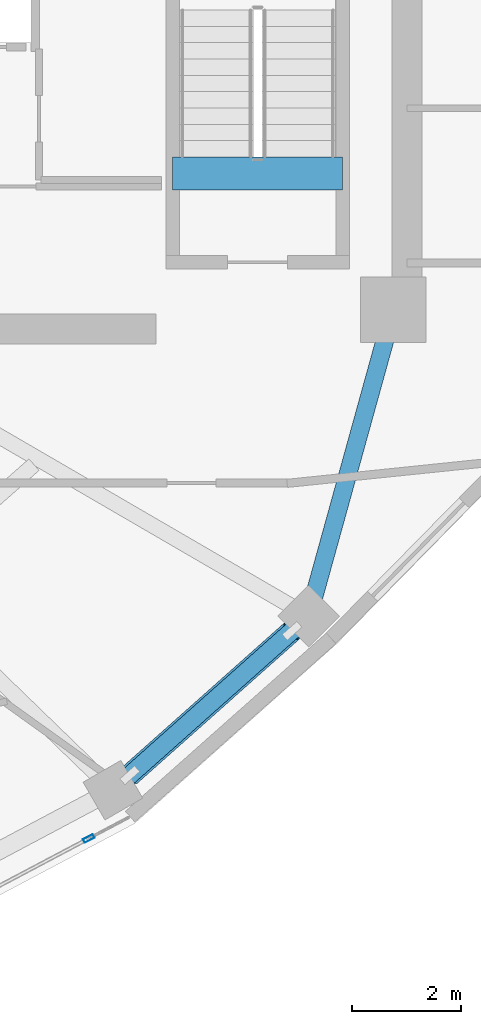
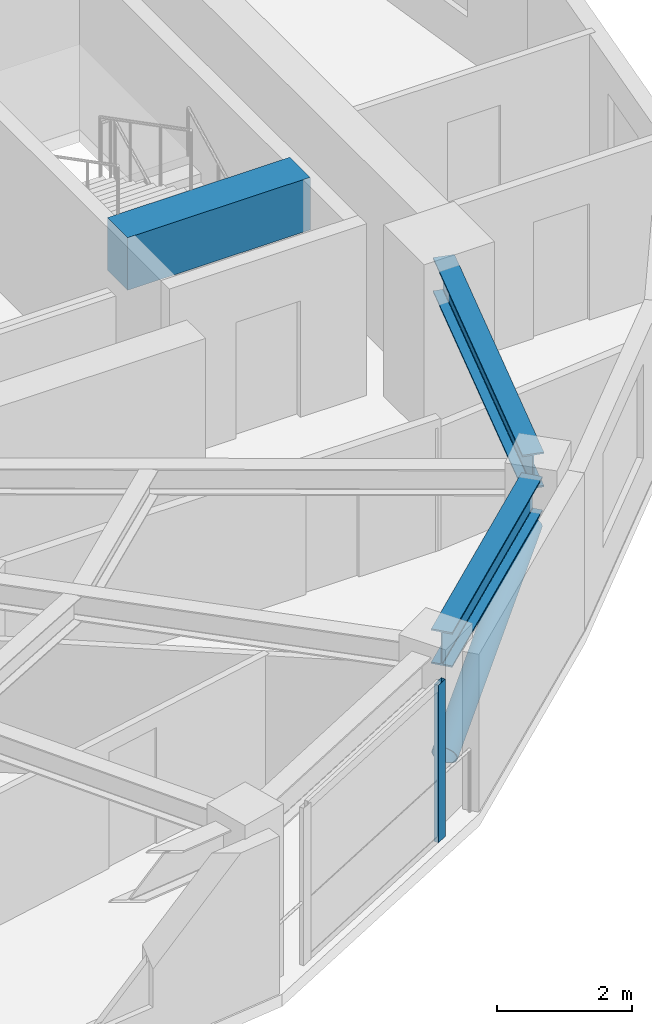
# One storey, part 5 of 16: 3 beams, 2 members, 1 element without a shape of its own.
"""IFC4 building model written with IfcOpenShell, lengths in metres."""

from ifc_helpers import new_model, si_unit, direction, frame, origin, origin_2d, place, context, subcontext, project, spatial, rectangle, hollow_rectangle, hollow_circle, i_section, extrude, material, layer, layer_set, material_profile, profile_set, type_object, element, aggregate, save


model = new_model("IFC4")

# Units and contexts
model_context = context("Model", 3, precision=1e-05, world=origin(), true_north=direction((0.0, 1.0)))
body_context = subcontext(model_context, "Body", "Model", "MODEL_VIEW")
ifc_project = project(units=[si_unit("LENGTHUNIT", "METRE"), si_unit("AREAUNIT", "SQUARE_METRE"), si_unit("VOLUMEUNIT", "CUBIC_METRE"), si_unit("PLANEANGLEUNIT", "RADIAN"), si_unit("MASSUNIT", "GRAM", prefix="KILO")], contexts=[model_context])

# Site, building, storey
site_placement = place(None, origin())
site = spatial("IfcSite", under=ifc_project, at=site_placement, CompositionType="ELEMENT")
building_placement = place(site_placement, origin())
building = spatial("IfcBuilding", under=site, at=building_placement, Name="Solvane Sanctuary Tower", CompositionType="ELEMENT")
storey_placement = place(building_placement, frame((0.0, 0.0, 226.39990234375)))
storey = spatial("IfcBuildingStorey", under=building, at=storey_placement, Name="L69", CompositionType="ELEMENT", Elevation=226.39990234375)

# Beams
ifc_material_1 = material(Name="Concrete C70/85", Category="concrete")
ifc_material_profile_1 = material_profile(ifc_material_1, rectangle(XDim=0.60009765625, YDim=0.949951171875, at=origin_2d()), Name="RC600X950")
ifc_profile_set_1 = profile_set([ifc_material_profile_1], Name="Concrete C70/85")
beam_type_1 = type_object("IfcBeamType", Name="Beam B-COUPLE RC600X950", PredefinedType="LINTEL", material=ifc_profile_set_1)
beam_1_placement = place(storey_placement, frame((44.64990234375, 19.399169921875, 2.625), z_axis=(1.0, 0.0, 0.0), x_axis=(0.0, 1.0, 0.0)))
element("IfcBeam", 1, at=beam_1_placement, inside=storey, type_object=beam_type_1, Name="L69 ST-2 Stair Floor Landing Trimmer", PredefinedType="LINTEL", context=body_context, shape_type="SweptSolid", body=[
    extrude(rectangle(XDim=0.60009765625, YDim=0.949951171875, at=origin_2d()), origin(), (0.0, 0.0, 1.0), 3.1201171875),
])
ifc_material_2 = material(Name="Steel ASTM A992 Grade 50", Category="steel")
ifc_material_profile_2 = material_profile(ifc_material_2, i_section(OverallWidth=0.327880859375, OverallDepth=0.6279296875, WebThickness=0.0166015625, FlangeThickness=0.027587890625, FilletRadius=0.01611328125, at=origin_2d()), Name="W24X146")
ifc_profile_set_2 = profile_set([ifc_material_profile_2], Name="Steel ASTM A992 Grade 50")
beam_type_2 = type_object("IfcBeamType", Name="Beam B-SPAND-Z3 W24X146", PredefinedType="SPANDREL", material=ifc_profile_set_2)
beam_2_placement = place(storey_placement, frame((43.764404296875, 8.272216796875, 2.564208984375), z_axis=(0.747199825189, 0.664599444205, 0.0), x_axis=(-0.664599444205, 0.747199825189, 0.0)))
element("IfcBeam", 2, at=beam_2_placement, inside=storey, type_object=beam_type_2, Name="L69 Perimeter Spandrel Beam TC13-TC14", PredefinedType="SPANDREL", context=body_context, shape_type="SweptSolid", body=[
    extrude(i_section(OverallWidth=0.327880859375, OverallDepth=0.6279296875, WebThickness=0.0166015625, FlangeThickness=0.027587890625, FilletRadius=0.01611328125, at=origin_2d()), origin(), (0.0, 0.0, 1.0), 4.244384765625),
])
beam_3_placement = place(storey_placement, frame((47.219482421875, 11.549072265625, 2.564208984375), z_axis=(0.266650123869, 0.963793396658, 0.0), x_axis=(-0.963793396658, 0.266650123869, 0.0)))
element("IfcBeam", 3, at=beam_3_placement, inside=storey, type_object=beam_type_2, Name="L69 Perimeter Spandrel Beam TC14-CE2", PredefinedType="SPANDREL", context=body_context, shape_type="SweptSolid", body=[
    extrude(i_section(OverallWidth=0.327880859375, OverallDepth=0.6279296875, WebThickness=0.0166015625, FlangeThickness=0.027587890625, FilletRadius=0.01611328125, at=origin_2d()), origin(), (0.0, 0.0, 1.0), 5.27197265625),
])

# Curtain wall, member
ifc_material_3 = material(Name="Anodised Aluminium 6063-T6", Category="aluminium")
ifc_layer = layer(ifc_material_3, 0.18994140625, Name="Anodised Aluminium 6063-T6")
ifc_layer_set = layer_set([ifc_layer], Name="Anodised Aluminium 6063-T6")
curtain_wall_type = type_object("IfcCurtainWallType", Name="Curtain Wall CW-OPER", PredefinedType="NOTDEFINED", material=ifc_layer_set)
curtain_wall_placement = place(storey_placement, origin())
curtain_wall = element("IfcCurtainWall", 4, at=curtain_wall_placement, inside=storey, type_object=curtain_wall_type, Name="L69 CW-OPER Facade Run 19", PredefinedType="NOTDEFINED")
ifc_material_profile_3 = material_profile(ifc_material_3, hollow_rectangle(XDim=0.074951171875, YDim=0.199951171875, WallThickness=0.00390625, at=origin_2d()), Name="ALU200X75X4")
ifc_profile_set_3 = profile_set([ifc_material_profile_3], Name="Anodised Aluminium 6063-T6")
member_type_1 = type_object("IfcMemberType", Name="Member M-CW-MUL-1 ALU200X75X4", PredefinedType="MULLION", material=ifc_profile_set_3)
member_1_placement = place(storey_placement, frame((43.112060546875, 7.199951171875, 0.0), z_axis=(0.0, 0.0, 1.0), x_axis=(-0.467523293544, 0.883980752049, 0.0)))
member_1 = element("IfcMember", 5, at=member_1_placement, type_object=member_type_1, Name="CW-OPER mullion 2", PredefinedType="MULLION", context=body_context, shape_type="SweptSolid", body=[
    extrude(hollow_rectangle(XDim=0.074951171875, YDim=0.199951171875, WallThickness=0.00390625, at=origin_2d()), origin(), (0.0, 0.0, 1.0), 2.840087890625),
])
aggregate(curtain_wall, [member_1])

# Member
ifc_material_profile_4 = material_profile(ifc_material_2, hollow_circle(Radius=0.202880859375, WallThickness=0.012451171875, at=origin_2d()), Name="CHS406X12.5")
ifc_profile_set_4 = profile_set([ifc_material_profile_4], Name="Steel ASTM A992 Grade 50")
member_type_2 = type_object("IfcMemberType", Name="Member M-TUBE-Z3 CHS406X12.5", PredefinedType="BRACE", material=ifc_profile_set_4)
member_2_placement = place(storey_placement, frame((43.8671875, 8.36376953125, 0.542724609375), z_axis=(0.69629863571, 0.619345335379, 0.362738977025), x_axis=(-0.664611503375, 0.747189098945, 0.0)))
element("IfcMember", 6, at=member_2_placement, inside=storey, type_object=member_type_2, Name="L69 Perimeter Braced-Tube Diagonal SE", PredefinedType="BRACE", context=body_context, shape_type="SweptSolid", body=[
    extrude(hollow_circle(Radius=0.202880859375, WallThickness=0.012451171875, at=origin_2d()), origin(), (0.0, 0.0, 1.0), 4.26708984375),
])

save(model, "model.ifc")
